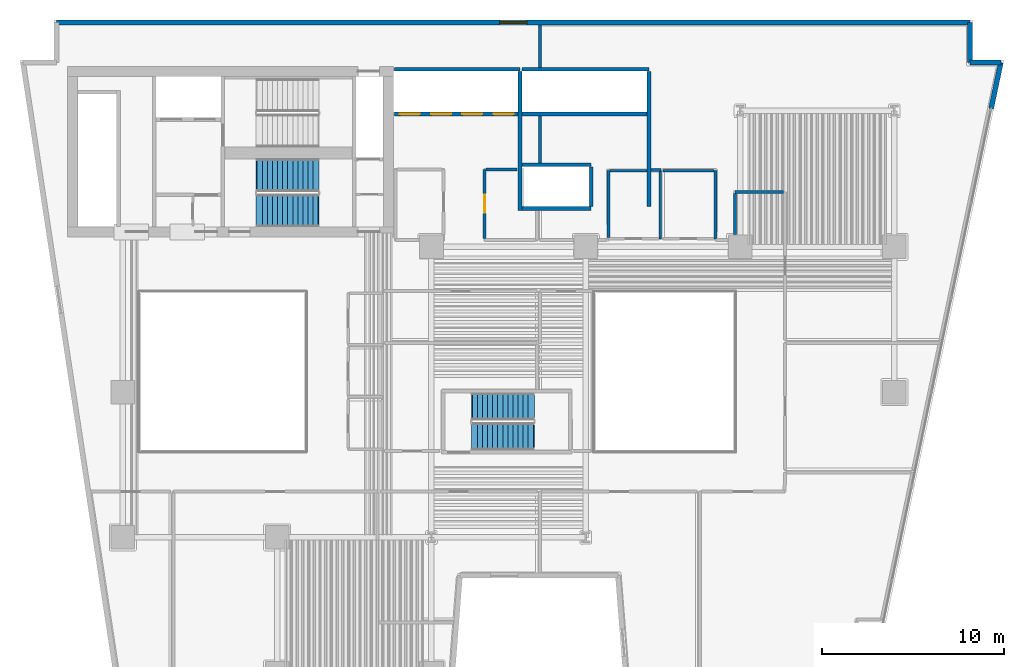
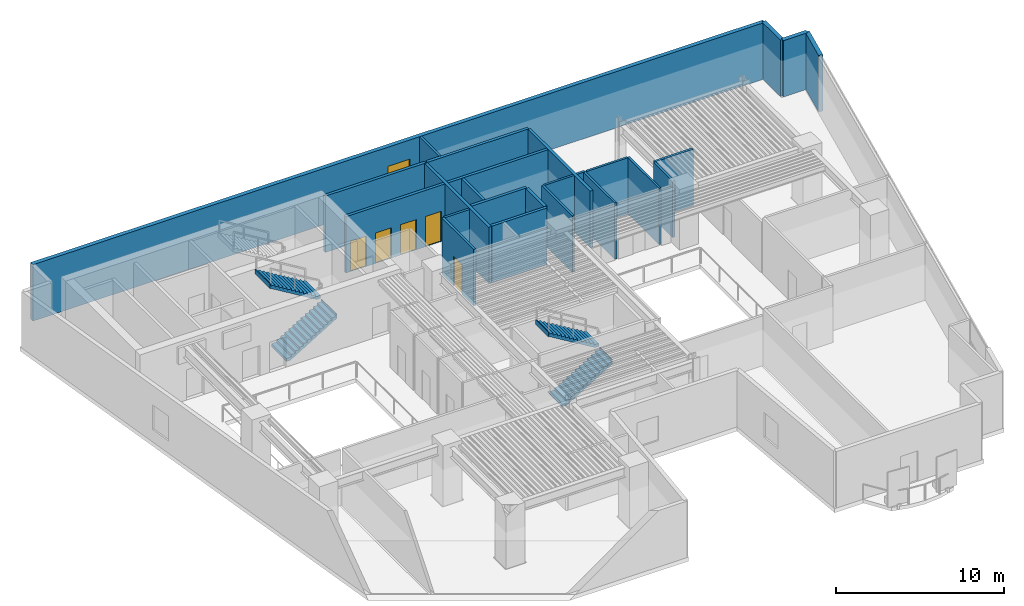
# One storey, part 6 of 12: 25 walls, 5 doors, 4 stair flights, 1 window, 6 openings, 2 elements without a shape of their own.
"""IFC4 building model written with IfcOpenShell, lengths in metres."""

from ifc_helpers import new_model, si_unit, direction, frame, frame_2d, origin, place, context, subcontext, project, spatial, polyline, rectangle, outline, extrude, material, layer, layer_set, type_object, element, fill, aggregate, save


model = new_model("IFC4")

# Units and contexts
model_context = context("Model", 3, precision=1e-05, world=origin(), true_north=direction((0.0, 1.0)))
body_context = subcontext(model_context, "Body", "Model", "MODEL_VIEW")
ifc_project = project(units=[si_unit("LENGTHUNIT", "METRE"), si_unit("AREAUNIT", "SQUARE_METRE"), si_unit("VOLUMEUNIT", "CUBIC_METRE"), si_unit("PLANEANGLEUNIT", "RADIAN"), si_unit("MASSUNIT", "GRAM", prefix="KILO")], contexts=[model_context])

# Site, building, storey
site_placement = place(None, origin())
site = spatial("IfcSite", under=ifc_project, at=site_placement, CompositionType="ELEMENT")
building_placement = place(site_placement, origin())
building = spatial("IfcBuilding", under=site, at=building_placement, Name="Caeloran Harvest Quay", CompositionType="ELEMENT")
storey_placement = place(building_placement, frame((0.0, 0.0, 57.800048828125)))
storey = spatial("IfcBuildingStorey", under=building, at=storey_placement, Name="L13", CompositionType="ELEMENT", Elevation=57.800048828125)

# Wall, opening, window
ifc_material_1 = material(Name="Precast concrete C50/60", Category="concrete")
ifc_layer_1 = layer(ifc_material_1, 0.280029296875, Name="Precast concrete C50/60")
ifc_layer_set_1 = layer_set([ifc_layer_1], Name="Precast concrete C50/60")
wall_type_1 = type_object("IfcWallType", Name="ENV-WALL-EW-280", PredefinedType="STANDARD", material=ifc_layer_set_1)
wall_1_placement = place(storey_placement, frame((4.840087890625, 43.360107421875, 0.0), z_axis=(0.0, 0.0, 1.0), x_axis=(1.0, 0.0, 0.0)))
wall_1 = element("IfcWall", 1, at=wall_1_placement, inside=storey, type_object=wall_type_1, Name="L13 Exterior Precast Concrete Facade Wall 6", PredefinedType="STANDARD", context=body_context, shape_type="SweptSolid", body=[
    extrude(rectangle(XDim=50.31982421875, YDim=0.280029296875, at=frame_2d((25.159912109375, 0.0))), origin(), (0.0, 0.0, 1.0), 4.099853515625),
])
opening_1_placement = place(wall_1_placement, frame((24.409912109375, 0.0, 0.89990234375)))
opening_1 = element("IfcOpeningElement", 2, at=opening_1_placement, cuts=wall_1, Name="Opening W-03", PredefinedType="OPENING", context=body_context, shape_type="SweptSolid", body=[
    extrude(rectangle(XDim=1.5, YDim=1.800048828125, at=frame_2d((0.75, 0.89990234375))), frame((0.0, 0.14990234375, 0.0), z_axis=(0.0, -1.0, 0.0), x_axis=(1.0, 0.0, 0.0)), (0.0, 0.0, 1.0), 0.300048828125),
])
ifc_material_2 = material(Name="Aluminium-Framed Low-E Laminated Glass", Category="aluminium")
window_type = type_object("IfcWindowType", Name="WIN-W-03", PartitioningType="SINGLE_PANEL", PredefinedType="WINDOW", material=ifc_material_2)
window_placement = place(opening_1_placement, origin())
window = element("IfcWindow", 3, at=window_placement, inside=storey, type_object=window_type, Name="L13 Facade Punched Window W-03", OverallHeight=1.800048828125, OverallWidth=1.5, PartitioningType="SINGLE_PANEL", PredefinedType="WINDOW", context=body_context, shape_type="SweptSolid", body=[
    extrude(rectangle(XDim=1.5, YDim=1.800048828125, at=frame_2d((0.75, 0.89990234375))), frame((0.0, 0.030029296875, 0.0), z_axis=(0.0, -1.0, 0.0), x_axis=(1.0, 0.0, 0.0)), (0.0, 0.0, 1.0), 0.06005859375),
])
fill(opening_1, window)

# Walls
wall_2_placement = place(storey_placement, frame((55.159912109375, 43.360107421875, 0.0), z_axis=(0.0, 0.0, 1.0), x_axis=(0.0, -1.0, 0.0)))
element("IfcWall", 4, at=wall_2_placement, inside=storey, type_object=wall_type_1, Name="L13 Exterior Precast Concrete Facade Wall 7", PredefinedType="STANDARD", context=body_context, shape_type="SweptSolid", body=[
    extrude(rectangle(XDim=2.2001953125, YDim=0.280029296875, at=frame_2d((1.10009765625, 0.0))), origin(), (0.0, 0.0, 1.0), 4.099853515625),
])
wall_3_placement = place(storey_placement, frame((55.159912109375, 41.159912109375, 0.0), z_axis=(0.0, 0.0, 1.0), x_axis=(1.0, 0.0, 0.0)))
element("IfcWall", 5, at=wall_3_placement, inside=storey, type_object=wall_type_1, Name="L13 Exterior Precast Concrete Facade Wall 8", PredefinedType="STANDARD", context=body_context, shape_type="SweptSolid", body=[
    extrude(rectangle(XDim=1.705322265625, YDim=0.280029296875, at=frame_2d((0.8525390625, 0.0))), origin(), (0.0, 0.0, 1.0), 4.099853515625),
])
wall_4_placement = place(storey_placement, frame((56.865234375, 41.159912109375, 0.0), z_axis=(0.0, 0.0, 1.0), x_axis=(-0.205551409765, -0.978646319128, 0.0)))
element("IfcWall", 6, at=wall_4_placement, inside=storey, type_object=wall_type_1, Name="L13 Exterior Facade Corner Pier Wall 9A", PredefinedType="STANDARD", context=body_context, shape_type="SweptSolid", body=[
    extrude(rectangle(XDim=2.599853515625, YDim=0.280029296875, at=frame_2d((1.2998046875, 0.0))), origin(), (0.0, 0.0, 1.0), 4.099853515625),
])
ifc_material_3 = material(Name="Autoclaved Aerated Concrete Blockwork and Plasterboard", Category="masonry")
ifc_layer_2 = layer(ifc_material_3, 0.14990234375, Name="Autoclaved Aerated Concrete Blockwork and Plasterboard")
ifc_layer_set_2 = layer_set([ifc_layer_2], Name="Autoclaved Aerated Concrete Blockwork and Plasterboard")
wall_type_2 = type_object("IfcWallType", Name="INT-WALL-PW-150", PredefinedType="PARTITIONING", material=ifc_layer_set_2)
wall_5_placement = place(storey_placement, frame((38.10009765625, 35.199951171875, 0.0), z_axis=(0.0, 0.0, 1.0), x_axis=(0.0, -1.0, 0.0)))
element("IfcWall", 7, at=wall_5_placement, inside=storey, type_object=wall_type_2, Name="L13 Core Telemetry West Room Partition Wall", PredefinedType="PARTITIONING", context=body_context, shape_type="SweptSolid", body=[
    extrude(rectangle(XDim=3.75, YDim=0.14990234375, at=frame_2d((1.875, 0.0))), origin(), (0.0, 0.0, 1.0), 4.099853515625),
])
wall_6_placement = place(storey_placement, frame((35.25, 31.530029296875, 0.0), z_axis=(0.0, 0.0, 1.0), x_axis=(0.0, 1.0, 0.0)))
element("IfcWall", 8, at=wall_6_placement, inside=storey, type_object=wall_type_2, Name="L13 Core Telemetry West Room Partition Wall", PredefinedType="PARTITIONING", context=body_context, shape_type="SweptSolid", body=[
    extrude(rectangle(XDim=3.669921875, YDim=0.14990234375, at=frame_2d((1.8349609375, 0.0))), origin(), (0.0, 0.0, 1.0), 4.099853515625),
])
wall_7_placement = place(storey_placement, frame((35.330078125, 35.199951171875, 0.0), z_axis=(0.0, 0.0, 1.0), x_axis=(1.0, 0.0, 0.0)))
element("IfcWall", 9, at=wall_7_placement, inside=storey, type_object=wall_type_2, Name="L13 Core Telemetry West Room Partition Wall", PredefinedType="PARTITIONING", context=body_context, shape_type="SweptSolid", body=[
    extrude(rectangle(XDim=2.044921875, YDim=0.14990234375, at=frame_2d((1.0224609375, 0.0))), origin(), (0.0, 0.0, 1.0), 4.099853515625),
])
wall_8_placement = place(storey_placement, frame((41.14990234375, 35.199951171875, 0.0), z_axis=(0.0, 0.0, 1.0), x_axis=(0.0, -1.0, 0.0)))
element("IfcWall", 10, at=wall_8_placement, inside=storey, type_object=wall_type_2, Name="L13 Core Metering East Room Partition Wall", PredefinedType="PARTITIONING", context=body_context, shape_type="SweptSolid", body=[
    extrude(rectangle(XDim=3.75, YDim=0.14990234375, at=frame_2d((1.875, 0.0))), origin(), (0.0, 0.0, 1.0), 4.099853515625),
])
wall_9_placement = place(storey_placement, frame((38.25, 35.199951171875, 0.0), z_axis=(0.0, 0.0, 1.0), x_axis=(1.0, 0.0, 0.0)))
element("IfcWall", 11, at=wall_9_placement, inside=storey, type_object=wall_type_2, Name="L13 Core Metering East Room Partition Wall", PredefinedType="PARTITIONING", context=body_context, shape_type="SweptSolid", body=[
    extrude(rectangle(XDim=2.820068359375, YDim=0.14990234375, at=frame_2d((1.41015625, 0.0))), origin(), (0.0, 0.0, 1.0), 4.099853515625),
])

# Wall, opening, door
ifc_material_4 = material(Name="Autoclaved Aerated Concrete Blockwork", Category="masonry")
ifc_layer_3 = layer(ifc_material_4, 0.1650390625, Name="Autoclaved Aerated Concrete Blockwork")
ifc_layer_set_3 = layer_set([ifc_layer_3], Name="Autoclaved Aerated Concrete Blockwork")
wall_type_3 = type_object("IfcWallType", Name="INT-WALL-PW-165", PredefinedType="PARTITIONING", material=ifc_layer_set_3)
wall_10_placement = place(storey_placement, frame((28.429931640625, 31.467529296875, 0.0), z_axis=(0.0, 0.0, 1.0), x_axis=(0.0, 1.0, 0.0)))
wall_10 = element("IfcWall", 12, at=wall_10_placement, inside=storey, type_object=wall_type_3, Name="Seedling Sensory Salon Lounge 10 Partition Wall", PredefinedType="PARTITIONING", context=body_context, shape_type="SweptSolid", body=[
    extrude(rectangle(XDim=3.802490234375, YDim=0.1650390625, at=frame_2d((1.9013671875, 0.0))), origin(), (0.0, 0.0, 1.0), 4.099853515625),
])
opening_2_placement = place(wall_10_placement, frame((1.4013671875, 0.0, 0.0)))
opening_2 = element("IfcOpeningElement", 13, at=opening_2_placement, cuts=wall_10, Name="Opening ID-01", PredefinedType="OPENING", context=body_context, shape_type="SweptSolid", body=[
    extrude(rectangle(XDim=1.0, YDim=2.14990234375, at=frame_2d((0.5, 1.074951171875))), frame((0.0, 0.092529296875, 0.0), z_axis=(0.0, -1.0, 0.0), x_axis=(1.0, 0.0, 0.0)), (0.0, 0.0, 1.0), 0.18505859375),
])
ifc_material_5 = material(Name="FSC Solid-Core Ash Timber and Acoustic Seal", Category="wood")
door_type_1 = type_object("IfcDoorType", Name="INTDOOR-ID-01", OperationType="NOTDEFINED", PredefinedType="DOOR", material=ifc_material_5)
door_1_placement = place(opening_2_placement, origin())
door_1 = element("IfcDoor", 14, at=door_1_placement, inside=storey, type_object=door_type_1, Name="Seedling Sensory Salon Lounge 10 Access Door", OperationType="SINGLE_SWING_LEFT", OverallHeight=2.14990234375, OverallWidth=1.0, PredefinedType="DOOR", context=body_context, shape_type="SweptSolid", body=[
    extrude(rectangle(XDim=1.0, YDim=2.14990234375, at=frame_2d((0.5, 1.074951171875))), frame((0.0, 0.02490234375, 0.0), z_axis=(0.0, -1.0, 0.0), x_axis=(1.0, 0.0, 0.0)), (0.0, 0.0, 1.0), 0.050048828125),
])
fill(opening_2, door_1)

# Walls
wall_11_placement = place(storey_placement, frame((28.517578125, 35.27001953125, 0.0), z_axis=(0.0, 0.0, 1.0), x_axis=(1.0, 0.0, 0.0)))
element("IfcWall", 15, at=wall_11_placement, inside=storey, type_object=wall_type_3, Name="Seedling Sensory Salon Lounge 10 Partition Wall", PredefinedType="PARTITIONING", context=body_context, shape_type="SweptSolid", body=[
    extrude(rectangle(XDim=1.702392578125, YDim=0.1650390625, at=frame_2d((0.85107421875, 0.0))), origin(), (0.0, 0.0, 1.0), 4.099853515625),
])
wall_12_placement = place(storey_placement, frame((31.47998046875, 35.635009765625, 0.0), z_axis=(0.0, 0.0, 1.0), x_axis=(0.0, 1.0, 0.0)))
element("IfcWall", 16, at=wall_12_placement, inside=storey, type_object=wall_type_3, Name="Harvest Seminar Room 12 Partition Wall", PredefinedType="PARTITIONING", context=body_context, shape_type="SweptSolid", body=[
    extrude(rectangle(XDim=2.580078125, YDim=0.1650390625, at=frame_2d((1.2900390625, 0.0))), origin(), (0.0, 0.0, 1.0), 4.099853515625),
])
wall_13_placement = place(storey_placement, frame((31.47998046875, 40.885009765625, 0.0), z_axis=(0.0, 0.0, 1.0), x_axis=(0.0, 1.0, 0.0)))
element("IfcWall", 17, at=wall_13_placement, inside=storey, type_object=wall_type_3, Name="Harvest Seminar Room 12 Partition Wall", PredefinedType="PARTITIONING", context=body_context, shape_type="SweptSolid", body=[
    extrude(rectangle(XDim=2.330078125, YDim=0.1650390625, at=frame_2d((1.1650390625, 0.0))), origin(), (0.0, 0.0, 1.0), 4.099853515625),
])
wall_14_placement = place(storey_placement, frame((44.892578125, 34.030029296875, 0.0), z_axis=(0.0, 0.0, 1.0), x_axis=(-1.0, 0.0, 0.0)))
element("IfcWall", 18, at=wall_14_placement, inside=storey, type_object=wall_type_3, Name="Harvest Seminar Room 12 Partition Wall", PredefinedType="PARTITIONING", context=body_context, shape_type="SweptSolid", body=[
    extrude(rectangle(XDim=2.672607421875, YDim=0.1650390625, at=frame_2d((1.33642578125, 0.0))), origin(), (0.0, 0.0, 1.0), 4.099853515625),
])
wall_15_placement = place(storey_placement, frame((42.219970703125, 33.9423828125, 0.0), z_axis=(0.0, 0.0, 1.0), x_axis=(0.0, -1.0, 0.0)))
element("IfcWall", 19, at=wall_15_placement, inside=storey, type_object=wall_type_3, Name="Harvest Seminar Room 12 Partition Wall", PredefinedType="PARTITIONING", context=body_context, shape_type="SweptSolid", body=[
    extrude(rectangle(XDim=2.267333984375, YDim=0.1650390625, at=frame_2d((1.1337890625, 0.0))), origin(), (0.0, 0.0, 1.0), 4.099853515625),
])
wall_16_placement = place(storey_placement, frame((38.155517578125, 35.22998046875, 0.0), z_axis=(0.0, 0.0, 1.0), x_axis=(-1.0, 0.0, 0.0)))
element("IfcWall", 20, at=wall_16_placement, inside=storey, type_object=wall_type_3, Name="Harvest Seminar Room 12 Partition Wall", PredefinedType="PARTITIONING", context=body_context, shape_type="SweptSolid", body=[
    extrude(rectangle(XDim=0.570556640625, YDim=0.1650390625, at=frame_2d((0.28515625, 0.0))), origin(), (0.0, 0.0, 1.0), 4.099853515625),
])
ifc_material_6 = material(Name="Concrete C50/60", Category="concrete")
ifc_layer_4 = layer(ifc_material_6, 0.199951171875, Name="Concrete C50/60")
ifc_layer_set_4 = layer_set([ifc_layer_4], Name="Concrete C50/60")
wall_type_4 = type_object("IfcWallType", Name="INT-WALL-SW-200", PredefinedType="PARTITIONING", material=ifc_layer_set_4)
wall_17_placement = place(storey_placement, frame((23.469970703125, 40.780029296875, 0.0), z_axis=(0.0, 0.0, 1.0), x_axis=(1.0, 0.0, 0.0)))
element("IfcWall", 21, at=wall_17_placement, inside=storey, type_object=wall_type_4, Name="L13 Bank 1 Lift Shaft North Wall", PredefinedType="PARTITIONING", context=body_context, shape_type="SweptSolid", body=[
    extrude(rectangle(XDim=6.909912109375, YDim=0.199951171875, at=frame_2d((3.455078125, 0.0))), origin(), (0.0, 0.0, 1.0), 4.099853515625),
])
wall_18_placement = place(storey_placement, frame((30.3798828125, 33.02001953125, 0.0), z_axis=(0.0, 0.0, 1.0), x_axis=(0.0, 1.0, 0.0)))
element("IfcWall", 22, at=wall_18_placement, inside=storey, type_object=wall_type_4, Name="L13 Bank 1 Lift Shaft East Wall", PredefinedType="PARTITIONING", context=body_context, shape_type="SweptSolid", body=[
    extrude(rectangle(XDim=7.639892578125, YDim=0.199951171875, at=frame_2d((3.81982421875, 0.0))), origin(), (0.0, 0.0, 1.0), 4.099853515625),
])

# Wall, openings, doors
wall_19_placement = place(storey_placement, frame((23.469970703125, 38.320068359375, 0.0), z_axis=(0.0, 0.0, 1.0), x_axis=(1.0, 0.0, 0.0)))
wall_19 = element("IfcWall", 23, at=wall_19_placement, inside=storey, type_object=wall_type_4, Name="L13 Bank 1 Lift Landing Front Wall", PredefinedType="PARTITIONING", context=body_context, shape_type="SweptSolid", body=[
    extrude(rectangle(XDim=6.7900390625, YDim=0.199951171875, at=frame_2d((3.39501953125, 0.0))), origin(), (0.0, 0.0, 1.0), 4.099853515625),
])
opening_3_placement = place(wall_19_placement, frame((0.2900390625, 0.0, 0.0)))
opening_3 = element("IfcOpeningElement", 24, at=opening_3_placement, cuts=wall_19, Name="Opening LD-01", PredefinedType="OPENING", context=body_context, shape_type="SweptSolid", body=[
    extrude(rectangle(XDim=1.10009765625, YDim=2.199951171875, at=frame_2d((0.550048828125, 1.10009765625))), frame((0.0, 0.10986328125, 0.0), z_axis=(0.0, -1.0, 0.0), x_axis=(1.0, 0.0, 0.0)), (0.0, 0.0, 1.0), 0.219970703125),
])
opening_4_placement = place(wall_19_placement, frame((2.010009765625, 0.0, 0.0)))
opening_4 = element("IfcOpeningElement", 25, at=opening_4_placement, cuts=wall_19, Name="Opening LD-01", PredefinedType="OPENING", context=body_context, shape_type="SweptSolid", body=[
    extrude(rectangle(XDim=1.10009765625, YDim=2.199951171875, at=frame_2d((0.550048828125, 1.10009765625))), frame((0.0, 0.10986328125, 0.0), z_axis=(0.0, -1.0, 0.0), x_axis=(1.0, 0.0, 0.0)), (0.0, 0.0, 1.0), 0.219970703125),
])
opening_5_placement = place(wall_19_placement, frame((3.72998046875, 0.0, 0.0)))
opening_5 = element("IfcOpeningElement", 26, at=opening_5_placement, cuts=wall_19, Name="Opening LD-01", PredefinedType="OPENING", context=body_context, shape_type="SweptSolid", body=[
    extrude(rectangle(XDim=1.10009765625, YDim=2.199951171875, at=frame_2d((0.550048828125, 1.10009765625))), frame((0.0, 0.10986328125, 0.0), z_axis=(0.0, -1.0, 0.0), x_axis=(1.0, 0.0, 0.0)), (0.0, 0.0, 1.0), 0.219970703125),
])
opening_6_placement = place(wall_19_placement, frame((5.449951171875, 0.0, 0.0)))
opening_6 = element("IfcOpeningElement", 27, at=opening_6_placement, cuts=wall_19, Name="Opening LD-01", PredefinedType="OPENING", context=body_context, shape_type="SweptSolid", body=[
    extrude(rectangle(XDim=1.10009765625, YDim=2.199951171875, at=frame_2d((0.550048828125, 1.10009765625))), frame((0.0, 0.10986328125, 0.0), z_axis=(0.0, -1.0, 0.0), x_axis=(1.0, 0.0, 0.0)), (0.0, 0.0, 1.0), 0.219970703125),
])
ifc_material_7 = material(Name="Stainless Steel Grade 316", Category="steel")
door_type_2 = type_object("IfcDoorType", Name="INTDOOR-LD-01", OperationType="NOTDEFINED", PredefinedType="DOOR", material=ifc_material_7)
door_2_placement = place(opening_3_placement, origin())
door_2 = element("IfcDoor", 28, at=door_2_placement, inside=storey, type_object=door_type_2, Name="Lift P1-1 Sliding Landing Door (L13)", OperationType="DOUBLE_DOOR_SLIDING", OverallHeight=2.199951171875, OverallWidth=1.10009765625, PredefinedType="DOOR", context=body_context, shape_type="SweptSolid", body=[
    extrude(rectangle(XDim=1.10009765625, YDim=2.199951171875, at=frame_2d((0.550048828125, 1.10009765625))), frame((0.0, 0.02490234375, 0.0), z_axis=(0.0, -1.0, 0.0), x_axis=(1.0, 0.0, 0.0)), (0.0, 0.0, 1.0), 0.050048828125),
])
fill(opening_3, door_2)
door_3_placement = place(opening_4_placement, origin())
door_3 = element("IfcDoor", 29, at=door_3_placement, inside=storey, type_object=door_type_2, Name="Lift P1-2 Sliding Landing Door (L13)", OperationType="DOUBLE_DOOR_SLIDING", OverallHeight=2.199951171875, OverallWidth=1.10009765625, PredefinedType="DOOR", context=body_context, shape_type="SweptSolid", body=[
    extrude(rectangle(XDim=1.10009765625, YDim=2.199951171875, at=frame_2d((0.550048828125, 1.10009765625))), frame((0.0, 0.02490234375, 0.0), z_axis=(0.0, -1.0, 0.0), x_axis=(1.0, 0.0, 0.0)), (0.0, 0.0, 1.0), 0.050048828125),
])
fill(opening_4, door_3)
door_4_placement = place(opening_5_placement, origin())
door_4 = element("IfcDoor", 30, at=door_4_placement, inside=storey, type_object=door_type_2, Name="Lift P1-3 Sliding Landing Door (L13)", OperationType="DOUBLE_DOOR_SLIDING", OverallHeight=2.199951171875, OverallWidth=1.10009765625, PredefinedType="DOOR", context=body_context, shape_type="SweptSolid", body=[
    extrude(rectangle(XDim=1.10009765625, YDim=2.199951171875, at=frame_2d((0.550048828125, 1.10009765625))), frame((0.0, 0.02490234375, 0.0), z_axis=(0.0, -1.0, 0.0), x_axis=(1.0, 0.0, 0.0)), (0.0, 0.0, 1.0), 0.050048828125),
])
fill(opening_5, door_4)
door_5_placement = place(opening_6_placement, origin())
door_5 = element("IfcDoor", 31, at=door_5_placement, inside=storey, type_object=door_type_2, Name="Lift P1-4 Sliding Landing Door (L13)", OperationType="DOUBLE_DOOR_SLIDING", OverallHeight=2.199951171875, OverallWidth=1.10009765625, PredefinedType="DOOR", context=body_context, shape_type="SweptSolid", body=[
    extrude(rectangle(XDim=1.10009765625, YDim=2.199951171875, at=frame_2d((0.550048828125, 1.10009765625))), frame((0.0, 0.02490234375, 0.0), z_axis=(0.0, -1.0, 0.0), x_axis=(1.0, 0.0, 0.0)), (0.0, 0.0, 1.0), 0.050048828125),
])
fill(opening_6, door_5)

# Walls
wall_20_placement = place(storey_placement, frame((30.5, 40.780029296875, 0.0), z_axis=(0.0, 0.0, 1.0), x_axis=(1.0, 0.0, 0.0)))
element("IfcWall", 32, at=wall_20_placement, inside=storey, type_object=wall_type_4, Name="L13 Bank 2 Lift Shaft North Wall", PredefinedType="PARTITIONING", context=body_context, shape_type="SweptSolid", body=[
    extrude(rectangle(XDim=6.97998046875, YDim=0.199951171875, at=frame_2d((3.489990234375, 0.0))), origin(), (0.0, 0.0, 1.0), 4.099853515625),
])
wall_21_placement = place(storey_placement, frame((37.47998046875, 33.239990234375, 0.0), z_axis=(0.0, 0.0, 1.0), x_axis=(0.0, 1.0, 0.0)))
element("IfcWall", 33, at=wall_21_placement, inside=storey, type_object=wall_type_4, Name="L13 Bank 2 Lift Shaft East Wall", PredefinedType="PARTITIONING", context=body_context, shape_type="SweptSolid", body=[
    extrude(rectangle(XDim=7.419921875, YDim=0.199951171875, at=frame_2d((3.7099609375, 0.0))), origin(), (0.0, 0.0, 1.0), 4.099853515625),
])
wall_22_placement = place(storey_placement, frame((30.5, 38.320068359375, 0.0), z_axis=(0.0, 0.0, 1.0), x_axis=(1.0, 0.0, 0.0)))
element("IfcWall", 34, at=wall_22_placement, inside=storey, type_object=wall_type_4, Name="L13 Bank 2 Lift Landing Front Wall", PredefinedType="PARTITIONING", context=body_context, shape_type="SweptSolid", body=[
    extrude(rectangle(XDim=6.860107421875, YDim=0.199951171875, at=frame_2d((3.43017578125, 0.0))), origin(), (0.0, 0.0, 1.0), 4.099853515625),
])
for number, where, z_axis, x_axis, name in (
    (35, (30.5, 35.530029296875, 0.0), (0.0, 0.0, 1.0), (1.0, 0.0, 0.0), "L13 Shuttle Lift Landing Front Wall"),
    (36, (30.5, 33.1201171875, 0.0), (0.0, 0.0, 1.0), (1.0, 0.0, 0.0), "L13 Shuttle Lift Shaft South Wall"),
):
    element("IfcWall", number, at=place(storey_placement, frame(where, z_axis=z_axis, x_axis=x_axis)), inside=storey, type_object=wall_type_4, Name=name, PredefinedType="PARTITIONING", context=body_context, shape_type="SweptSolid", body=[
        extrude(rectangle(XDim=3.800048828125, YDim=0.199951171875, at=frame_2d((1.89990234375, 0.0))), origin(), (0.0, 0.0, 1.0), 4.099853515625),
    ])
wall_23_placement = place(storey_placement, frame((34.300048828125, 33.239990234375, 0.0), z_axis=(0.0, 0.0, 1.0), x_axis=(0.0, 1.0, 0.0)))
element("IfcWall", 37, at=wall_23_placement, inside=storey, type_object=wall_type_4, Name="L13 Shuttle Lift Shaft East Wall", PredefinedType="PARTITIONING", context=body_context, shape_type="SweptSolid", body=[
    extrude(rectangle(XDim=2.169921875, YDim=0.199951171875, at=frame_2d((1.0849609375, 0.0))), origin(), (0.0, 0.0, 1.0), 4.099853515625),
])

# Stair, stair flights
stair_type_1 = type_object("IfcStairType", Name="STAIR-STC-180", PredefinedType="HALF_TURN_STAIR", material=ifc_material_6)
stair_1_placement = place(storey_placement, origin())
stair_1 = element("IfcStair", 38, at=stair_1_placement, inside=storey, type_object=stair_type_1, Name="L13 Core Pressurized Exit Stair ST-C2", PredefinedType="HALF_TURN_STAIR")
stair_flight_type_1 = type_object("IfcStairFlightType", Name="FLIGHT-STC-180", PredefinedType="STRAIGHT", material=ifc_material_6)
stair_flight_1_placement = place(storey_placement, frame((15.89990234375, 33.0, 0.0), z_axis=(0.0, 0.0, 1.0), x_axis=(1.0, 0.0, 0.0)))
stair_flight_1 = element("IfcStairFlight", 39, at=stair_flight_1_placement, type_object=stair_flight_type_1, Name="ST-C2 flight 1", NumberOfRisers=13, NumberOfTreads=12, PredefinedType="STRAIGHT", RiserHeight=0.169230769, TreadLength=0.28, context=body_context, shape_type="SweptSolid", body=[
    extrude(outline(polyline([(-0.054931640625, -0.044921875), (-0.054931640625, -0.031494140625), (-0.054931640625, -0.018310546875), (-0.054931640625, -0.0048828125), (-0.054931640625, 0.008544921875), (-0.054931640625, 0.02197265625), (-0.054931640625, 0.035400390625), (-0.054931640625, 0.048828125), (-0.054931640625, 0.06201171875), (-0.054931640625, 0.075439453125), (-0.054931640625, 0.0888671875), (-0.054931640625, 0.102294921875), (-0.054931640625, 0.11572265625), (-0.054931640625, 0.129150390625), (-0.054931640625, 0.142333984375), (-0.054931640625, 0.15576171875), (-0.054931640625, 0.169189453125), (0.280029296875, 0.169189453125), (0.280029296875, 0.33837890625), (0.56005859375, 0.33837890625), (0.56005859375, 0.5078125), (0.840087890625, 0.5078125), (0.840087890625, 0.677001953125), (1.1201171875, 0.677001953125), (1.1201171875, 0.84619140625), (1.39990234375, 0.84619140625), (1.39990234375, 1.015380859375), (1.679931640625, 1.015380859375), (1.679931640625, 1.1845703125), (1.9599609375, 1.1845703125), (1.9599609375, 1.353759765625), (2.239990234375, 1.353759765625), (2.239990234375, 1.523193359375), (2.52001953125, 1.523193359375), (2.52001953125, 1.6923828125), (2.800048828125, 1.6923828125), (2.800048828125, 1.861572265625), (3.080078125, 1.861572265625), (3.080078125, 2.03076171875), (3.360107421875, 2.03076171875), (3.360107421875, 2.199951171875), (3.4150390625, 2.199951171875), (3.4150390625, 2.178466796875), (3.4150390625, 2.156982421875), (3.4150390625, 2.135498046875), (3.4150390625, 2.114013671875), (3.4150390625, 2.09228515625), (3.4150390625, 2.07080078125), (3.4150390625, 2.04931640625), (3.4150390625, 2.02783203125), (3.4150390625, 2.00634765625), (3.4150390625, 1.98486328125), (3.4150390625, 1.963134765625), (3.4150390625, 1.941650390625), (3.4150390625, 1.920166015625), (3.4150390625, 1.898681640625), (3.4150390625, 1.877197265625), (3.4150390625, 1.855712890625), (3.360107421875, 1.855712890625), (0.21533203125, -0.044921875), (-0.054931640625, -0.044921875)])), frame((0.0, 0.89990234375, 0.0), z_axis=(0.0, -1.0, 0.0), x_axis=(1.0, 0.0, 0.0)), (0.0, 0.0, 1.0), 1.800048828125),
])
stair_flight_2_placement = place(storey_placement, frame((19.260009765625, 34.949951171875, 2.199951171875), z_axis=(0.0, 0.0, 1.0), x_axis=(-1.0, 0.0, 0.0)))
stair_flight_2 = element("IfcStairFlight", 40, at=stair_flight_2_placement, type_object=stair_flight_type_1, Name="ST-C2 flight 2", NumberOfRisers=13, NumberOfTreads=12, PredefinedType="STRAIGHT", RiserHeight=0.169230769, TreadLength=0.28, context=body_context, shape_type="SweptSolid", body=[
    extrude(outline(polyline([(-0.054931640625, -0.044921875), (-0.054931640625, -0.031494140625), (-0.054931640625, -0.018310546875), (-0.054931640625, -0.0048828125), (-0.054931640625, 0.008544921875), (-0.054931640625, 0.02197265625), (-0.054931640625, 0.035400390625), (-0.054931640625, 0.048828125), (-0.054931640625, 0.06201171875), (-0.054931640625, 0.075439453125), (-0.054931640625, 0.0888671875), (-0.054931640625, 0.102294921875), (-0.054931640625, 0.11572265625), (-0.054931640625, 0.129150390625), (-0.054931640625, 0.142333984375), (-0.054931640625, 0.15576171875), (-0.054931640625, 0.169189453125), (0.280029296875, 0.169189453125), (0.280029296875, 0.33837890625), (0.56005859375, 0.33837890625), (0.56005859375, 0.5078125), (0.840087890625, 0.5078125), (0.840087890625, 0.677001953125), (1.1201171875, 0.677001953125), (1.1201171875, 0.84619140625), (1.39990234375, 0.84619140625), (1.39990234375, 1.015380859375), (1.679931640625, 1.015380859375), (1.679931640625, 1.1845703125), (1.9599609375, 1.1845703125), (1.9599609375, 1.353759765625), (2.239990234375, 1.353759765625), (2.239990234375, 1.523193359375), (2.52001953125, 1.523193359375), (2.52001953125, 1.6923828125), (2.800048828125, 1.6923828125), (2.800048828125, 1.861572265625), (3.080078125, 1.861572265625), (3.080078125, 2.03076171875), (3.360107421875, 2.03076171875), (3.360107421875, 2.199951171875), (3.4150390625, 2.199951171875), (3.4150390625, 2.178466796875), (3.4150390625, 2.156982421875), (3.4150390625, 2.135498046875), (3.4150390625, 2.114013671875), (3.4150390625, 2.09228515625), (3.4150390625, 2.07080078125), (3.4150390625, 2.04931640625), (3.4150390625, 2.02783203125), (3.4150390625, 2.00634765625), (3.4150390625, 1.98486328125), (3.4150390625, 1.963134765625), (3.4150390625, 1.941650390625), (3.4150390625, 1.920166015625), (3.4150390625, 1.898681640625), (3.4150390625, 1.877197265625), (3.4150390625, 1.855712890625), (3.360107421875, 1.855712890625), (0.21533203125, -0.044921875), (-0.054931640625, -0.044921875)])), frame((0.0, 0.89990234375, 0.0), z_axis=(0.0, -1.0, 0.0), x_axis=(1.0, 0.0, 0.0)), (0.0, 0.0, 1.0), 1.800048828125),
])
aggregate(stair_1, [stair_flight_1, stair_flight_2])

stair_type_2 = type_object("IfcStairType", Name="STAIR-STW-150", PredefinedType="HALF_TURN_STAIR", material=ifc_material_6)
stair_2_placement = place(storey_placement, origin())
stair_2 = element("IfcStair", 41, at=stair_2_placement, inside=storey, type_object=stair_type_2, Name="L13 East Wing Protected Exit Stair ST-W1", PredefinedType="HALF_TURN_STAIR")
stair_flight_type_2 = type_object("IfcStairFlightType", Name="FLIGHT-STW-150", PredefinedType="STRAIGHT", material=ifc_material_6)
stair_flight_3_placement = place(storey_placement, frame((27.75, 20.550048828125, 0.0), z_axis=(0.0, 0.0, 1.0), x_axis=(1.0, 0.0, 0.0)))
stair_flight_3 = element("IfcStairFlight", 42, at=stair_flight_3_placement, type_object=stair_flight_type_2, Name="ST-W1 flight 1", NumberOfRisers=13, NumberOfTreads=12, PredefinedType="STRAIGHT", RiserHeight=0.169230769, TreadLength=0.28, context=body_context, shape_type="SweptSolid", body=[
    extrude(outline(polyline([(-0.054931640625, -0.044921875), (-0.054931640625, -0.031494140625), (-0.054931640625, -0.018310546875), (-0.054931640625, -0.0048828125), (-0.054931640625, 0.008544921875), (-0.054931640625, 0.02197265625), (-0.054931640625, 0.035400390625), (-0.054931640625, 0.048828125), (-0.054931640625, 0.06201171875), (-0.054931640625, 0.075439453125), (-0.054931640625, 0.0888671875), (-0.054931640625, 0.102294921875), (-0.054931640625, 0.11572265625), (-0.054931640625, 0.129150390625), (-0.054931640625, 0.142333984375), (-0.054931640625, 0.15576171875), (-0.054931640625, 0.169189453125), (0.280029296875, 0.169189453125), (0.280029296875, 0.33837890625), (0.56005859375, 0.33837890625), (0.56005859375, 0.5078125), (0.840087890625, 0.5078125), (0.840087890625, 0.677001953125), (1.1201171875, 0.677001953125), (1.1201171875, 0.84619140625), (1.39990234375, 0.84619140625), (1.39990234375, 1.015380859375), (1.679931640625, 1.015380859375), (1.679931640625, 1.1845703125), (1.9599609375, 1.1845703125), (1.9599609375, 1.353759765625), (2.239990234375, 1.353759765625), (2.239990234375, 1.523193359375), (2.52001953125, 1.523193359375), (2.52001953125, 1.6923828125), (2.800048828125, 1.6923828125), (2.800048828125, 1.861572265625), (3.080078125, 1.861572265625), (3.080078125, 2.03076171875), (3.360107421875, 2.03076171875), (3.360107421875, 2.199951171875), (3.4150390625, 2.199951171875), (3.4150390625, 2.178466796875), (3.4150390625, 2.156982421875), (3.4150390625, 2.135498046875), (3.4150390625, 2.114013671875), (3.4150390625, 2.09228515625), (3.4150390625, 2.07080078125), (3.4150390625, 2.04931640625), (3.4150390625, 2.02783203125), (3.4150390625, 2.00634765625), (3.4150390625, 1.98486328125), (3.4150390625, 1.963134765625), (3.4150390625, 1.941650390625), (3.4150390625, 1.920166015625), (3.4150390625, 1.898681640625), (3.4150390625, 1.877197265625), (3.4150390625, 1.855712890625), (3.360107421875, 1.855712890625), (0.21533203125, -0.044921875), (-0.054931640625, -0.044921875)])), frame((0.0, 0.75, 0.0), z_axis=(0.0, -1.0, 0.0), x_axis=(1.0, 0.0, 0.0)), (0.0, 0.0, 1.0), 1.5),
])
stair_flight_4_placement = place(storey_placement, frame((31.110107421875, 22.199951171875, 2.199951171875), z_axis=(0.0, 0.0, 1.0), x_axis=(-1.0, 0.0, 0.0)))
stair_flight_4 = element("IfcStairFlight", 43, at=stair_flight_4_placement, type_object=stair_flight_type_2, Name="ST-W1 flight 2", NumberOfRisers=13, NumberOfTreads=12, PredefinedType="STRAIGHT", RiserHeight=0.169230769, TreadLength=0.28, context=body_context, shape_type="SweptSolid", body=[
    extrude(outline(polyline([(-0.054931640625, -0.044921875), (-0.054931640625, -0.031494140625), (-0.054931640625, -0.018310546875), (-0.054931640625, -0.0048828125), (-0.054931640625, 0.008544921875), (-0.054931640625, 0.02197265625), (-0.054931640625, 0.035400390625), (-0.054931640625, 0.048828125), (-0.054931640625, 0.06201171875), (-0.054931640625, 0.075439453125), (-0.054931640625, 0.0888671875), (-0.054931640625, 0.102294921875), (-0.054931640625, 0.11572265625), (-0.054931640625, 0.129150390625), (-0.054931640625, 0.142333984375), (-0.054931640625, 0.15576171875), (-0.054931640625, 0.169189453125), (0.280029296875, 0.169189453125), (0.280029296875, 0.33837890625), (0.56005859375, 0.33837890625), (0.56005859375, 0.5078125), (0.840087890625, 0.5078125), (0.840087890625, 0.677001953125), (1.1201171875, 0.677001953125), (1.1201171875, 0.84619140625), (1.39990234375, 0.84619140625), (1.39990234375, 1.015380859375), (1.679931640625, 1.015380859375), (1.679931640625, 1.1845703125), (1.9599609375, 1.1845703125), (1.9599609375, 1.353759765625), (2.239990234375, 1.353759765625), (2.239990234375, 1.523193359375), (2.52001953125, 1.523193359375), (2.52001953125, 1.6923828125), (2.800048828125, 1.6923828125), (2.800048828125, 1.861572265625), (3.080078125, 1.861572265625), (3.080078125, 2.03076171875), (3.360107421875, 2.03076171875), (3.360107421875, 2.199951171875), (3.4150390625, 2.199951171875), (3.4150390625, 2.178466796875), (3.4150390625, 2.156982421875), (3.4150390625, 2.135498046875), (3.4150390625, 2.114013671875), (3.4150390625, 2.09228515625), (3.4150390625, 2.07080078125), (3.4150390625, 2.04931640625), (3.4150390625, 2.02783203125), (3.4150390625, 2.00634765625), (3.4150390625, 1.98486328125), (3.4150390625, 1.963134765625), (3.4150390625, 1.941650390625), (3.4150390625, 1.920166015625), (3.4150390625, 1.898681640625), (3.4150390625, 1.877197265625), (3.4150390625, 1.855712890625), (3.360107421875, 1.855712890625), (0.21533203125, -0.044921875), (-0.054931640625, -0.044921875)])), frame((0.0, 0.75, 0.0), z_axis=(0.0, -1.0, 0.0), x_axis=(1.0, 0.0, 0.0)), (0.0, 0.0, 1.0), 1.5),
])
aggregate(stair_2, [stair_flight_3, stair_flight_4])

save(model, "model.ifc")
